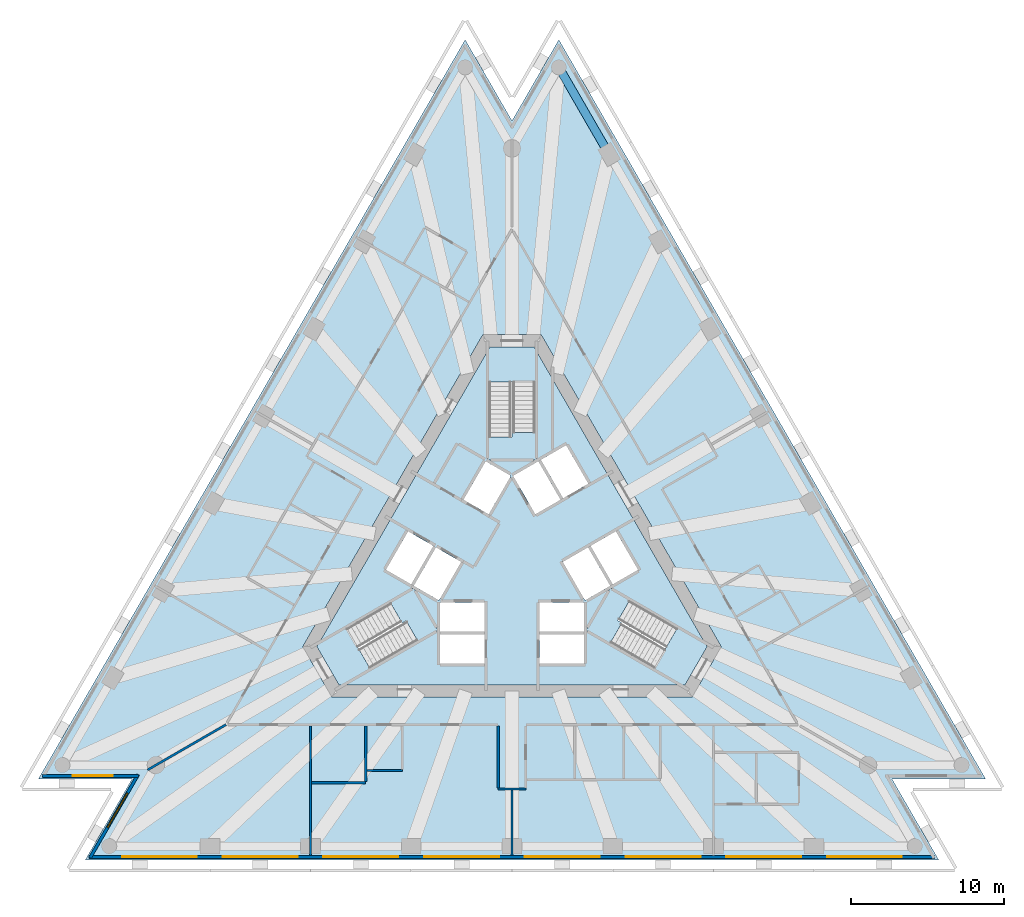
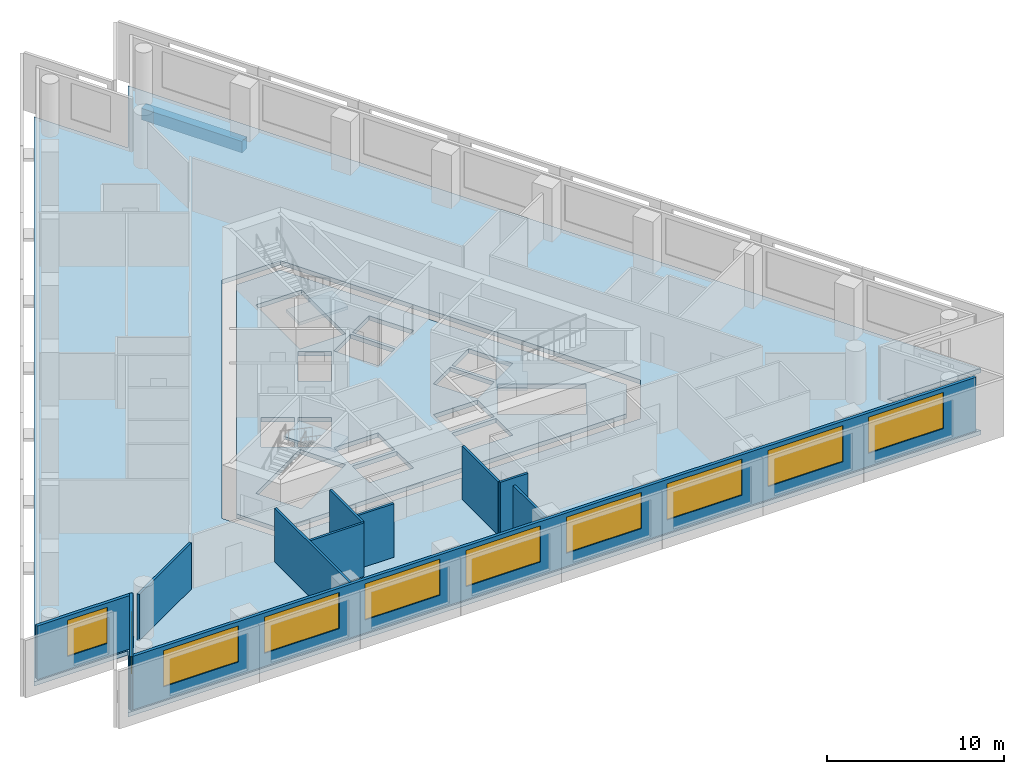
# One storey, part 2 of 10: 11 walls, 10 windows, 5 slabs, 1 beam, 10 openings, 3 elements without a shape of their own.
"""IFC4 building model written with IfcOpenShell, lengths in metres."""

from ifc_helpers import new_model, si_unit, direction, frame, frame_2d, origin, origin_2d, place, context, subcontext, project, spatial, polyline, rectangle, outline, extrude, material, layer, layer_set, layer_usage, material_profile, profile_set, type_object, element, fill, aggregate, save


model = new_model("IFC4")

# Units and contexts
model_context = context("Model", 3, precision=1e-05, world=origin(), true_north=direction((0.0, 1.0)))
body_context = subcontext(model_context, "Body", "Model", "MODEL_VIEW")
ifc_project = project(units=[si_unit("LENGTHUNIT", "METRE"), si_unit("AREAUNIT", "SQUARE_METRE"), si_unit("VOLUMEUNIT", "CUBIC_METRE"), si_unit("PLANEANGLEUNIT", "RADIAN"), si_unit("MASSUNIT", "GRAM", prefix="KILO")], contexts=[model_context])

# Site, building, storey
site_placement = place(None, origin())
site = spatial("IfcSite", under=ifc_project, at=site_placement, CompositionType="ELEMENT")
building_placement = place(site_placement, origin())
building = spatial("IfcBuilding", under=site, at=building_placement, Name="Triada Interchange Tower", CompositionType="ELEMENT")
storey_placement = place(building_placement, frame((0.0, 0.0, 152.300048828125)))
storey = spatial("IfcBuildingStorey", under=building, at=storey_placement, Name="L35", CompositionType="ELEMENT", Elevation=152.300048828125)

# Beam
ifc_material_1 = material(Name="Concrete C50/60", Category="concrete")
ifc_material_profile = material_profile(ifc_material_1, rectangle(XDim=0.550048828125, YDim=0.800048828125, at=origin_2d()), Name="RC 550x800")
ifc_profile_set = profile_set([ifc_material_profile], Name="Concrete C50/60")
beam_type = type_object("IfcBeamType", Name="Spandrel beam B RC 550x800", PredefinedType="BEAM", material=ifc_profile_set)
beam_placement = place(storey_placement, frame((6.35595703125, 26.48388671875, -0.699951171875), z_axis=(-0.499966313909, 0.866044851585, 0.0), x_axis=(-0.866044851585, -0.499966313909, 0.0)))
element("IfcBeam", 1, at=beam_placement, inside=storey, type_object=beam_type, Name="Spandrel beam EB28 L35", PredefinedType="BEAM", context=body_context, shape_type="SweptSolid", body=[
    extrude(rectangle(XDim=0.550048828125, YDim=0.800048828125, at=origin_2d()), origin(), (0.0, 0.0, 1.0), 6.58642578125),
])

# Slabs
ifc_layer_1 = layer(ifc_material_1, 0.300048828125)
ifc_layer_set_1 = layer_set([ifc_layer_1], Name="Floor slab 300")
slab_type_1 = type_object("IfcSlabType", Name="Floor slab 300", PredefinedType="FLOOR", material=ifc_layer_set_1)
slab_1_placement = place(storey_placement, frame((0.0, 0.0, -0.300048828125)))
element("IfcSlab", 2, at=slab_1_placement, inside=storey, type_object=slab_type_1, Name="Floor slab L35", PredefinedType="FLOOR", context=body_context, shape_type="SweptSolid", body=[
    extrude(outline(polyline([(-3.06298828125, 33.988037109375), (-30.965087890625, -14.342041015625), (-24.840087890625, -14.342041015625), (-27.903076171875, -19.64599609375), (27.903076171875, -19.64599609375), (24.840087890625, -14.342041015625), (30.965087890625, -14.342041015625), (3.06298828125, 33.988037109375), (0.0, 28.68310546875), (-3.06298828125, 33.988037109375)]), holes=[polyline([(1.905029296875, 14.699951171875), (-1.905029296875, 14.699951171875), (-13.68310546875, -5.699951171875), (-11.778076171875, -9.0), (11.778076171875, -9.0), (13.68310546875, -5.699951171875), (1.905029296875, 14.699951171875)])]), origin(), (0.0, 0.0, 1.0), 0.300048828125),
])
slab_2_placement = place(storey_placement, frame((0.0, 0.0, -0.300048828125)))
element("IfcSlab", 3, at=slab_2_placement, inside=storey, type_object=slab_type_1, Name="Core floor slab L35 1", PredefinedType="FLOOR", context=body_context, shape_type="SweptSolid", body=[
    extrude(outline(polyline([(12.759033203125, -5.699951171875), (11.31591796875, -8.199951171875), (-11.31591796875, -8.199951171875), (-12.759033203125, -5.699951171875), (-1.443115234375, 13.89990234375), (1.443115234375, 13.89990234375), (12.759033203125, -5.699951171875)]), holes=[polyline([(9.2958984375, -7.09912109375), (10.7958984375, -4.5009765625), (6.466064453125, -2.0009765625), (4.966064453125, -4.59912109375), (9.2958984375, -7.09912109375)]), polyline([(6.7890625, 1.841064453125), (5.14404296875, 0.89111328125), (6.593994140625, -1.6201171875), (8.239013671875, -0.669921875), (6.7890625, 1.841064453125)]), polyline([(4.77490234375, -2.669921875), (6.419921875, -1.719970703125), (4.969970703125, 0.791015625), (3.9150390625, 0.181884765625), (3.324951171875, -0.158935546875), (4.77490234375, -2.669921875)]), polyline([(1.89404296875, 6.52001953125), (3.343994140625, 4.009033203125), (4.989013671875, 4.958984375), (3.5390625, 7.469970703125), (1.89404296875, 6.52001953125)]), polyline([(4.699951171875, -6.800048828125), (4.699951171875, -4.89990234375), (1.800048828125, -4.89990234375), (1.800048828125, -6.800048828125), (4.699951171875, -6.800048828125)]), polyline([(4.699951171875, -2.800048828125), (1.800048828125, -2.800048828125), (1.800048828125, -4.699951171875), (4.699951171875, -4.699951171875), (4.699951171875, -2.800048828125)]), polyline([(0.074951171875, 5.469970703125), (1.52490234375, 2.958984375), (3.169921875, 3.908935546875), (1.719970703125, 6.419921875), (0.074951171875, 5.469970703125)]), polyline([(1.5, 11.60009765625), (-1.5, 11.60009765625), (-1.5, 6.60009765625), (1.5, 6.60009765625), (1.5, 11.60009765625)]), polyline([(-1.52490234375, 2.958984375), (-0.074951171875, 5.469970703125), (-1.719970703125, 6.419921875), (-3.169921875, 3.908935546875), (-1.52490234375, 2.958984375)]), polyline([(-1.800048828125, -2.800048828125), (-4.699951171875, -2.800048828125), (-4.699951171875, -4.699951171875), (-1.800048828125, -4.699951171875), (-1.800048828125, -2.800048828125)]), polyline([(-4.699951171875, -6.800048828125), (-1.800048828125, -6.800048828125), (-1.800048828125, -4.89990234375), (-4.699951171875, -4.89990234375), (-4.699951171875, -6.800048828125)]), polyline([(-4.77490234375, -2.669921875), (-3.324951171875, -0.158935546875), (-4.969970703125, 0.791015625), (-6.419921875, -1.719970703125), (-4.77490234375, -2.669921875)]), polyline([(-10.7958984375, -4.5009765625), (-9.2958984375, -7.09912109375), (-4.966064453125, -4.59912109375), (-6.466064453125, -2.0009765625), (-10.7958984375, -4.5009765625)]), polyline([(-6.593994140625, -1.6201171875), (-5.14404296875, 0.89111328125), (-6.7890625, 1.841064453125), (-8.239013671875, -0.669921875), (-6.593994140625, -1.6201171875)])]), origin(), (0.0, 0.0, 1.0), 0.300048828125),
])

# Stair, slab
ifc_material_2 = material(Name="Concrete C35/45", Category="concrete")
stair_type = type_object("IfcStairType", Name="HALF TURN STAIR 1400", PredefinedType="HALF_TURN_STAIR", material=ifc_material_2)
stair_1_placement = place(storey_placement, origin())
stair_1 = element("IfcStair", 4, at=stair_1_placement, inside=storey, type_object=stair_type, Name="Exit stair S35-1", PredefinedType="HALF_TURN_STAIR")
ifc_layer_2 = layer(ifc_material_2, 0.199951171875)
ifc_layer_set_2 = layer_set([ifc_layer_2], Name="STAIR LANDING 200")
slab_type_2 = type_object("IfcSlabType", Name="STAIR LANDING 200", PredefinedType="LANDING", material=ifc_layer_set_2)
slab_3_placement = place(storey_placement, frame((0.0, 0.0, 1.719970703125)))
slab_3 = element("IfcSlab", 5, at=slab_3_placement, type_object=slab_type_2, Name="S35-1 landing 1", PredefinedType="LANDING", context=body_context, shape_type="SweptSolid", body=[
    extrude(outline(polyline([(1.60009765625, 6.5), (1.60009765625, 8.300048828125), (0.0, 8.300048828125), (0.0, 8.0), (-1.60009765625, 8.0), (-1.60009765625, 6.5), (1.60009765625, 6.5)])), origin(), (0.0, 0.0, 1.0), 0.199951171875),
])
aggregate(stair_1, [slab_3])

stair_2_placement = place(storey_placement, origin())
stair_2 = element("IfcStair", 6, at=stair_2_placement, inside=storey, type_object=stair_type, Name="Exit stair S35-2", PredefinedType="HALF_TURN_STAIR")
slab_4_placement = place(storey_placement, frame((0.0, 0.0, 1.719970703125)))
slab_4 = element("IfcSlab", 7, at=slab_4_placement, type_object=slab_type_2, Name="S35-2 landing 1", PredefinedType="LANDING", context=body_context, shape_type="SweptSolid", body=[
    extrude(outline(polyline([(-6.428955078125, -1.864013671875), (-7.988037109375, -2.763916015625), (-7.18798828125, -4.14990234375), (-6.927978515625, -4.0), (-6.1279296875, -5.385986328125), (-4.8291015625, -4.635986328125), (-6.428955078125, -1.864013671875)])), origin(), (0.0, 0.0, 1.0), 0.199951171875),
])
aggregate(stair_2, [slab_4])

stair_3_placement = place(storey_placement, origin())
stair_3 = element("IfcStair", 8, at=stair_3_placement, inside=storey, type_object=stair_type, Name="Exit stair S35-3", PredefinedType="HALF_TURN_STAIR")
slab_5_placement = place(storey_placement, frame((0.0, 0.0, 1.719970703125)))
slab_5 = element("IfcSlab", 9, at=slab_5_placement, type_object=slab_type_2, Name="S35-3 landing 1", PredefinedType="LANDING", context=body_context, shape_type="SweptSolid", body=[
    extrude(outline(polyline([(4.8291015625, -4.635986328125), (6.387939453125, -5.535888671875), (7.18798828125, -4.14990234375), (6.927978515625, -4.0), (7.72802734375, -2.614013671875), (6.428955078125, -1.864013671875), (4.8291015625, -4.635986328125)])), origin(), (0.0, 0.0, 1.0), 0.199951171875),
])
aggregate(stair_3, [slab_5])

# Wall, opening, window
ifc_material_3 = material(Name="Cement board")
ifc_layer_3 = layer(ifc_material_3, 0.02001953125, Name="Cement board cladding")
ifc_material_4 = material(Name="Sheathing board")
ifc_layer_4 = layer(ifc_material_4, 0.014892578125, Name="Sheathing board")
ifc_material_5 = material(Name="Mineral wool")
ifc_layer_5 = layer(ifc_material_5, 0.14990234375, Name="Mineral wool between steel studs")
ifc_material_6 = material(Name="Gypsum board")
ifc_layer_6 = layer(ifc_material_6, 0.014892578125, Name="Plasterboard lining")
ifc_layer_set_3 = layer_set([ifc_layer_3, ifc_layer_4, ifc_layer_5, ifc_layer_6], Name="External wall 200")
ifc_layer_usage = layer_usage(ifc_layer_set_3, "AXIS2", "POSITIVE", -0.10009765625)
wall_type_1 = type_object("IfcWallType", Name="External wall 200", PredefinedType="ELEMENTEDWALL", material=ifc_layer_set_3)
wall_1_placement = place(storey_placement, frame((-30.708984375, -14.14208984375, 0.0), z_axis=(0.0, 0.0, 1.0), x_axis=(1.0, 0.0, 0.0)))
wall_1 = element("IfcWall", 10, at=wall_1_placement, inside=storey, type_object=wall_type_1, material=ifc_layer_usage, Name="External wall L35 SW-1", PredefinedType="ELEMENTEDWALL", context=body_context, shape_type="SweptSolid", body=[
    extrude(rectangle(XDim=6.284912109375, YDim=0.199951171875, at=frame_2d((3.142578125, 0.0))), origin(), (0.0, 0.0, 1.0), 3.699951171875),
])
opening_1_placement = place(wall_1_placement, frame((1.989990234375, 0.0, 0.89990234375)))
opening_1 = element("IfcOpeningElement", 11, at=opening_1_placement, cuts=wall_1, Name="Opening WB09", PredefinedType="OPENING", context=body_context, shape_type="SweptSolid", body=[
    extrude(rectangle(XDim=2.60009765625, YDim=2.5, at=frame_2d((1.300048828125, 1.25))), frame((0.0, 0.10986328125, 0.0), z_axis=(0.0, -1.0, 0.0), x_axis=(1.0, 0.0, 0.0)), (0.0, 0.0, 1.0), 0.219970703125),
])
ifc_material_7 = material(Name="Double glazed aluminium window", Category="aluminium")
window_type_1 = type_object("IfcWindowType", Name="Ribbon window B pocket", PartitioningType="SINGLE_PANEL", PredefinedType="WINDOW", material=ifc_material_7)
window_1_placement = place(opening_1_placement, origin())
window_1 = element("IfcWindow", 12, at=window_1_placement, inside=storey, type_object=window_type_1, Name="Window L35 SW-1 1", OverallHeight=2.5, OverallWidth=2.60009765625, PartitioningType="SINGLE_PANEL", PredefinedType="WINDOW", context=body_context, shape_type="SweptSolid", body=[
    extrude(rectangle(XDim=2.60009765625, YDim=2.5, at=frame_2d((1.300048828125, 1.25))), frame((0.0, 0.030029296875, 0.0), z_axis=(0.0, -1.0, 0.0), x_axis=(1.0, 0.0, 0.0)), (0.0, 0.0, 1.0), 0.06005859375),
])
fill(opening_1, window_1)

wall_2_placement = place(storey_placement, frame((-24.448974609375, -14.06396484375, 0.0), z_axis=(0.0, 0.0, 1.0), x_axis=(-0.500057556061, -0.865992171227, 0.0)))
wall_2 = element("IfcWall", 13, at=wall_2_placement, inside=storey, type_object=wall_type_1, material=ifc_layer_usage, Name="External wall L35 SW-2", PredefinedType="ELEMENTEDWALL", context=body_context, shape_type="SweptSolid", body=[
    extrude(rectangle(XDim=6.285400390625, YDim=0.199951171875, at=frame_2d((3.142578125, 0.0))), origin(), (0.0, 0.0, 1.0), 3.699951171875),
])
opening_2_placement = place(wall_2_placement, frame((1.389892578125, 0.0, 0.89990234375)))
opening_2 = element("IfcOpeningElement", 14, at=opening_2_placement, cuts=wall_2, Name="Opening WB10", PredefinedType="OPENING", context=body_context, shape_type="SweptSolid", body=[
    extrude(rectangle(XDim=2.60009765625, YDim=2.5, at=frame_2d((1.300048828125, 1.25))), frame((0.0, 0.10986328125, 0.0), z_axis=(0.0, -1.0, 0.0), x_axis=(1.0, 0.0, 0.0)), (0.0, 0.0, 1.0), 0.219970703125),
])
window_2_placement = place(opening_2_placement, origin())
window_2 = element("IfcWindow", 15, at=window_2_placement, inside=storey, type_object=window_type_1, Name="Window L35 SW-2 1", OverallHeight=2.5, OverallWidth=2.60009765625, PartitioningType="SINGLE_PANEL", PredefinedType="WINDOW", context=body_context, shape_type="SweptSolid", body=[
    extrude(rectangle(XDim=2.60009765625, YDim=2.5, at=frame_2d((1.300048828125, 1.25))), frame((0.0, 0.030029296875, 0.0), z_axis=(0.0, -1.0, 0.0), x_axis=(1.0, 0.0, 0.0)), (0.0, 0.0, 1.0), 0.06005859375),
])
fill(opening_2, window_2)

# Wall, openings, windows
wall_3_placement = place(storey_placement, frame((-27.64697265625, -19.446044921875, 0.0), z_axis=(0.0, 0.0, 1.0), x_axis=(1.0, 0.0, 0.0)))
wall_3 = element("IfcWall", 16, at=wall_3_placement, inside=storey, type_object=wall_type_1, material=ifc_layer_usage, Name="External wall L35 S", PredefinedType="ELEMENTEDWALL", context=body_context, shape_type="SweptSolid", body=[
    extrude(rectangle(XDim=55.27392578125, YDim=0.199951171875, at=frame_2d((27.636962890625, 0.0))), origin(), (0.0, 0.0, 1.0), 3.699951171875),
])
opening_3_placement = place(wall_3_placement, frame((2.14599609375, 0.0, 0.89990234375)))
opening_3 = element("IfcOpeningElement", 17, at=opening_3_placement, cuts=wall_3, Name="Opening WB11", PredefinedType="OPENING", context=body_context, shape_type="SweptSolid", body=[
    extrude(rectangle(XDim=4.89990234375, YDim=2.5, at=frame_2d((2.449951171875, 1.25))), frame((0.0, 0.10986328125, 0.0), z_axis=(0.0, -1.0, 0.0), x_axis=(1.0, 0.0, 0.0)), (0.0, 0.0, 1.0), 0.219970703125),
])
opening_4_placement = place(wall_3_placement, frame((8.73193359375, 0.0, 0.89990234375)))
opening_4 = element("IfcOpeningElement", 18, at=opening_4_placement, cuts=wall_3, Name="Opening WB12", PredefinedType="OPENING", context=body_context, shape_type="SweptSolid", body=[
    extrude(rectangle(XDim=4.89990234375, YDim=2.5, at=frame_2d((2.449951171875, 1.25))), frame((0.0, 0.10986328125, 0.0), z_axis=(0.0, -1.0, 0.0), x_axis=(1.0, 0.0, 0.0)), (0.0, 0.0, 1.0), 0.219970703125),
])
opening_5_placement = place(wall_3_placement, frame((15.318115234375, 0.0, 0.89990234375)))
opening_5 = element("IfcOpeningElement", 19, at=opening_5_placement, cuts=wall_3, Name="Opening WB13", PredefinedType="OPENING", context=body_context, shape_type="SweptSolid", body=[
    extrude(rectangle(XDim=4.89990234375, YDim=2.5, at=frame_2d((2.449951171875, 1.25))), frame((0.0, 0.10986328125, 0.0), z_axis=(0.0, -1.0, 0.0), x_axis=(1.0, 0.0, 0.0)), (0.0, 0.0, 1.0), 0.219970703125),
])
opening_6_placement = place(wall_3_placement, frame((21.904052734375, 0.0, 0.89990234375)))
opening_6 = element("IfcOpeningElement", 20, at=opening_6_placement, cuts=wall_3, Name="Opening WB14", PredefinedType="OPENING", context=body_context, shape_type="SweptSolid", body=[
    extrude(rectangle(XDim=4.89990234375, YDim=2.5, at=frame_2d((2.449951171875, 1.25))), frame((0.0, 0.10986328125, 0.0), z_axis=(0.0, -1.0, 0.0), x_axis=(1.0, 0.0, 0.0)), (0.0, 0.0, 1.0), 0.219970703125),
])
opening_7_placement = place(wall_3_placement, frame((28.489990234375, 0.0, 0.89990234375)))
opening_7 = element("IfcOpeningElement", 21, at=opening_7_placement, cuts=wall_3, Name="Opening WB15", PredefinedType="OPENING", context=body_context, shape_type="SweptSolid", body=[
    extrude(rectangle(XDim=4.89990234375, YDim=2.5, at=frame_2d((2.449951171875, 1.25))), frame((0.0, 0.10986328125, 0.0), z_axis=(0.0, -1.0, 0.0), x_axis=(1.0, 0.0, 0.0)), (0.0, 0.0, 1.0), 0.219970703125),
])
opening_8_placement = place(wall_3_placement, frame((35.075927734375, 0.0, 0.89990234375)))
opening_8 = element("IfcOpeningElement", 22, at=opening_8_placement, cuts=wall_3, Name="Opening WB16", PredefinedType="OPENING", context=body_context, shape_type="SweptSolid", body=[
    extrude(rectangle(XDim=4.89990234375, YDim=2.5, at=frame_2d((2.449951171875, 1.25))), frame((0.0, 0.10986328125, 0.0), z_axis=(0.0, -1.0, 0.0), x_axis=(1.0, 0.0, 0.0)), (0.0, 0.0, 1.0), 0.219970703125),
])
opening_9_placement = place(wall_3_placement, frame((41.662109375, 0.0, 0.89990234375)))
opening_9 = element("IfcOpeningElement", 23, at=opening_9_placement, cuts=wall_3, Name="Opening WB17", PredefinedType="OPENING", context=body_context, shape_type="SweptSolid", body=[
    extrude(rectangle(XDim=4.89990234375, YDim=2.5, at=frame_2d((2.449951171875, 1.25))), frame((0.0, 0.10986328125, 0.0), z_axis=(0.0, -1.0, 0.0), x_axis=(1.0, 0.0, 0.0)), (0.0, 0.0, 1.0), 0.219970703125),
])
opening_10_placement = place(wall_3_placement, frame((48.248046875, 0.0, 0.89990234375)))
opening_10 = element("IfcOpeningElement", 24, at=opening_10_placement, cuts=wall_3, Name="Opening WB18", PredefinedType="OPENING", context=body_context, shape_type="SweptSolid", body=[
    extrude(rectangle(XDim=4.89990234375, YDim=2.5, at=frame_2d((2.449951171875, 1.25))), frame((0.0, 0.10986328125, 0.0), z_axis=(0.0, -1.0, 0.0), x_axis=(1.0, 0.0, 0.0)), (0.0, 0.0, 1.0), 0.219970703125),
])
window_type_2 = type_object("IfcWindowType", Name="Ribbon window B face", PartitioningType="SINGLE_PANEL", PredefinedType="WINDOW", material=ifc_material_7)
window_3_placement = place(opening_3_placement, origin())
window_3 = element("IfcWindow", 25, at=window_3_placement, inside=storey, type_object=window_type_2, Name="Window L35 S 1", OverallHeight=2.5, OverallWidth=4.89990234375, PartitioningType="SINGLE_PANEL", PredefinedType="WINDOW", context=body_context, shape_type="SweptSolid", body=[
    extrude(rectangle(XDim=4.89990234375, YDim=2.5, at=frame_2d((2.449951171875, 1.25))), frame((0.0, 0.030029296875, 0.0), z_axis=(0.0, -1.0, 0.0), x_axis=(1.0, 0.0, 0.0)), (0.0, 0.0, 1.0), 0.06005859375),
])
fill(opening_3, window_3)
window_4_placement = place(opening_4_placement, origin())
window_4 = element("IfcWindow", 26, at=window_4_placement, inside=storey, type_object=window_type_2, Name="Window L35 S 2", OverallHeight=2.5, OverallWidth=4.89990234375, PartitioningType="SINGLE_PANEL", PredefinedType="WINDOW", context=body_context, shape_type="SweptSolid", body=[
    extrude(rectangle(XDim=4.89990234375, YDim=2.5, at=frame_2d((2.449951171875, 1.25))), frame((0.0, 0.030029296875, 0.0), z_axis=(0.0, -1.0, 0.0), x_axis=(1.0, 0.0, 0.0)), (0.0, 0.0, 1.0), 0.06005859375),
])
fill(opening_4, window_4)
window_5_placement = place(opening_5_placement, origin())
window_5 = element("IfcWindow", 27, at=window_5_placement, inside=storey, type_object=window_type_2, Name="Window L35 S 3", OverallHeight=2.5, OverallWidth=4.89990234375, PartitioningType="SINGLE_PANEL", PredefinedType="WINDOW", context=body_context, shape_type="SweptSolid", body=[
    extrude(rectangle(XDim=4.89990234375, YDim=2.5, at=frame_2d((2.449951171875, 1.25))), frame((0.0, 0.030029296875, 0.0), z_axis=(0.0, -1.0, 0.0), x_axis=(1.0, 0.0, 0.0)), (0.0, 0.0, 1.0), 0.06005859375),
])
fill(opening_5, window_5)
window_6_placement = place(opening_6_placement, origin())
window_6 = element("IfcWindow", 28, at=window_6_placement, inside=storey, type_object=window_type_2, Name="Window L35 S 4", OverallHeight=2.5, OverallWidth=4.89990234375, PartitioningType="SINGLE_PANEL", PredefinedType="WINDOW", context=body_context, shape_type="SweptSolid", body=[
    extrude(rectangle(XDim=4.89990234375, YDim=2.5, at=frame_2d((2.449951171875, 1.25))), frame((0.0, 0.030029296875, 0.0), z_axis=(0.0, -1.0, 0.0), x_axis=(1.0, 0.0, 0.0)), (0.0, 0.0, 1.0), 0.06005859375),
])
fill(opening_6, window_6)
window_7_placement = place(opening_7_placement, origin())
window_7 = element("IfcWindow", 29, at=window_7_placement, inside=storey, type_object=window_type_2, Name="Window L35 S 5", OverallHeight=2.5, OverallWidth=4.89990234375, PartitioningType="SINGLE_PANEL", PredefinedType="WINDOW", context=body_context, shape_type="SweptSolid", body=[
    extrude(rectangle(XDim=4.89990234375, YDim=2.5, at=frame_2d((2.449951171875, 1.25))), frame((0.0, 0.030029296875, 0.0), z_axis=(0.0, -1.0, 0.0), x_axis=(1.0, 0.0, 0.0)), (0.0, 0.0, 1.0), 0.06005859375),
])
fill(opening_7, window_7)
window_8_placement = place(opening_8_placement, origin())
window_8 = element("IfcWindow", 30, at=window_8_placement, inside=storey, type_object=window_type_2, Name="Window L35 S 6", OverallHeight=2.5, OverallWidth=4.89990234375, PartitioningType="SINGLE_PANEL", PredefinedType="WINDOW", context=body_context, shape_type="SweptSolid", body=[
    extrude(rectangle(XDim=4.89990234375, YDim=2.5, at=frame_2d((2.449951171875, 1.25))), frame((0.0, 0.030029296875, 0.0), z_axis=(0.0, -1.0, 0.0), x_axis=(1.0, 0.0, 0.0)), (0.0, 0.0, 1.0), 0.06005859375),
])
fill(opening_8, window_8)
window_9_placement = place(opening_9_placement, origin())
window_9 = element("IfcWindow", 31, at=window_9_placement, inside=storey, type_object=window_type_2, Name="Window L35 S 7", OverallHeight=2.5, OverallWidth=4.89990234375, PartitioningType="SINGLE_PANEL", PredefinedType="WINDOW", context=body_context, shape_type="SweptSolid", body=[
    extrude(rectangle(XDim=4.89990234375, YDim=2.5, at=frame_2d((2.449951171875, 1.25))), frame((0.0, 0.030029296875, 0.0), z_axis=(0.0, -1.0, 0.0), x_axis=(1.0, 0.0, 0.0)), (0.0, 0.0, 1.0), 0.06005859375),
])
fill(opening_9, window_9)
window_10_placement = place(opening_10_placement, origin())
window_10 = element("IfcWindow", 32, at=window_10_placement, inside=storey, type_object=window_type_2, Name="Window L35 S 8", OverallHeight=2.5, OverallWidth=4.89990234375, PartitioningType="SINGLE_PANEL", PredefinedType="WINDOW", context=body_context, shape_type="SweptSolid", body=[
    extrude(rectangle(XDim=4.89990234375, YDim=2.5, at=frame_2d((2.449951171875, 1.25))), frame((0.0, 0.030029296875, 0.0), z_axis=(0.0, -1.0, 0.0), x_axis=(1.0, 0.0, 0.0)), (0.0, 0.0, 1.0), 0.06005859375),
])
fill(opening_10, window_10)

# Walls
ifc_material_8 = material(Name="Gypsum board partition")
ifc_layer_7 = layer(ifc_material_8, 0.14990234375)
ifc_layer_set_4 = layer_set([ifc_layer_7], Name="PARTITION 150 EI 180")
wall_type_2 = type_object("IfcWallType", Name="PARTITION 150 EI 180", PredefinedType="PARTITIONING", material=ifc_layer_set_4)
wall_4_placement = place(storey_placement, frame((-23.818115234375, -13.751953125, 0.0), z_axis=(0.0, 0.0, 1.0), x_axis=(0.8659920435, 0.500057777256, 0.0)))
element("IfcWall", 33, at=wall_4_placement, inside=storey, type_object=wall_type_2, Name="Wall L35 1", PredefinedType="PARTITIONING", context=body_context, shape_type="SweptSolid", body=[
    extrude(rectangle(XDim=5.903076171875, YDim=0.14990234375, at=frame_2d((2.95166015625, 0.0))), origin(), (0.0, 0.0, 1.0), 3.199951171875),
])
wall_5_placement = place(storey_placement, frame((-13.172119140625, -19.365966796875, 0.0), z_axis=(0.0, 0.0, 1.0), x_axis=(0.0, 1.0, 0.0)))
element("IfcWall", 34, at=wall_5_placement, inside=storey, type_object=wall_type_2, Name="Wall L35 14", PredefinedType="PARTITIONING", context=body_context, shape_type="SweptSolid", body=[
    extrude(rectangle(XDim=8.490966796875, YDim=0.14990234375, at=frame_2d((4.24560546875, 0.0))), origin(), (0.0, 0.0, 1.0), 3.699951171875),
])
wall_6_placement = place(storey_placement, frame((-13.096923828125, -14.60009765625, 0.0), z_axis=(0.0, 0.0, 1.0), x_axis=(1.0, 0.0, 0.0)))
element("IfcWall", 35, at=wall_6_placement, inside=storey, type_object=wall_type_2, Name="Wall L35 15", PredefinedType="PARTITIONING", context=body_context, shape_type="SweptSolid", body=[
    extrude(rectangle(XDim=3.52490234375, YDim=0.14990234375, at=frame_2d((1.762451171875, 0.0))), origin(), (0.0, 0.0, 1.0), 3.699951171875),
])
wall_7_placement = place(storey_placement, frame((-9.572021484375, -14.52490234375, 0.0), z_axis=(0.0, 0.0, 1.0), x_axis=(0.0, 1.0, 0.0)))
element("IfcWall", 36, at=wall_7_placement, inside=storey, type_object=wall_type_2, Name="Wall L35 16", PredefinedType="PARTITIONING", context=body_context, shape_type="SweptSolid", body=[
    extrude(rectangle(XDim=3.64990234375, YDim=0.14990234375, at=frame_2d((1.824951171875, 0.0))), origin(), (0.0, 0.0, 1.0), 3.699951171875),
])
wall_8_placement = place(storey_placement, frame((-9.4970703125, -13.800048828125, 0.0), z_axis=(0.0, 0.0, 1.0), x_axis=(1.0, 0.0, 0.0)))
element("IfcWall", 37, at=wall_8_placement, inside=storey, type_object=wall_type_2, Name="Wall L35 21", PredefinedType="PARTITIONING", context=body_context, shape_type="SweptSolid", body=[
    extrude(rectangle(XDim=2.324951171875, YDim=0.14990234375, at=frame_2d((1.16259765625, 0.0))), origin(), (0.0, 0.0, 1.0), 3.699951171875),
])
wall_9_placement = place(storey_placement, frame((-0.89990234375, -15.0, 0.0), z_axis=(0.0, 0.0, 1.0), x_axis=(1.0, 0.0, 0.0)))
element("IfcWall", 38, at=wall_9_placement, inside=storey, type_object=wall_type_2, Name="Wall L35 23", PredefinedType="PARTITIONING", context=body_context, shape_type="SweptSolid", body=[
    extrude(rectangle(XDim=1.7998046875, YDim=0.14990234375, at=frame_2d((0.89990234375, 0.0))), origin(), (0.0, 0.0, 1.0), 3.699951171875),
])
wall_10_placement = place(storey_placement, frame((-0.89990234375, -14.925048828125, 0.0), z_axis=(0.0, 0.0, 1.0), x_axis=(0.0, 1.0, 0.0)))
element("IfcWall", 39, at=wall_10_placement, inside=storey, type_object=wall_type_2, Name="Wall L35 24", PredefinedType="PARTITIONING", context=body_context, shape_type="SweptSolid", body=[
    extrude(rectangle(XDim=4.049072265625, YDim=0.14990234375, at=frame_2d((2.0244140625, 0.0))), origin(), (0.0, 0.0, 1.0), 3.699951171875),
])
wall_11_placement = place(storey_placement, frame((0.0, -19.365966796875, 0.0), z_axis=(0.0, 0.0, 1.0), x_axis=(0.0, 1.0, 0.0)))
element("IfcWall", 40, at=wall_11_placement, inside=storey, type_object=wall_type_2, Name="Wall L35 25", PredefinedType="PARTITIONING", context=body_context, shape_type="SweptSolid", body=[
    extrude(rectangle(XDim=4.291015625, YDim=0.14990234375, at=frame_2d((2.1455078125, 0.0))), origin(), (0.0, 0.0, 1.0), 3.199951171875),
])

save(model, "model.ifc")
